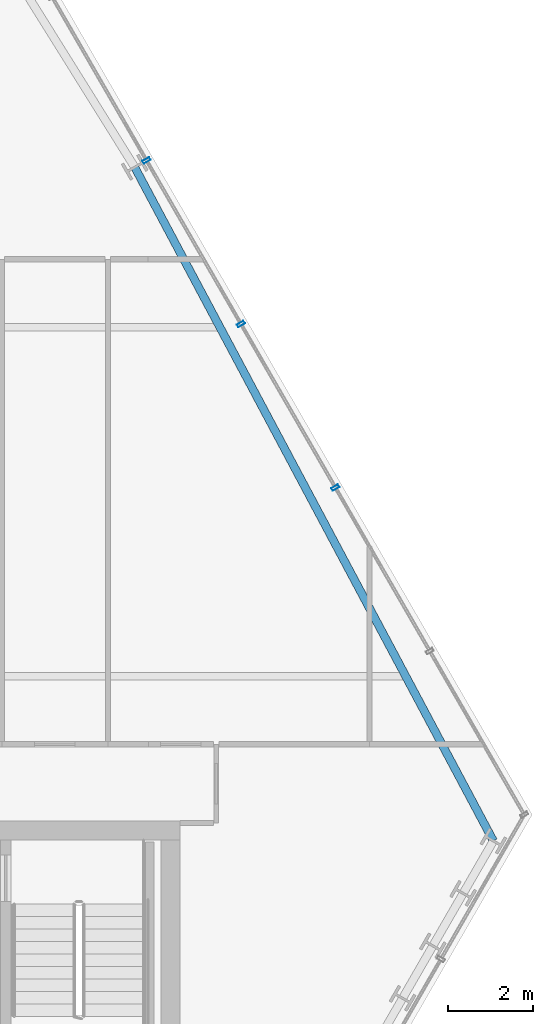
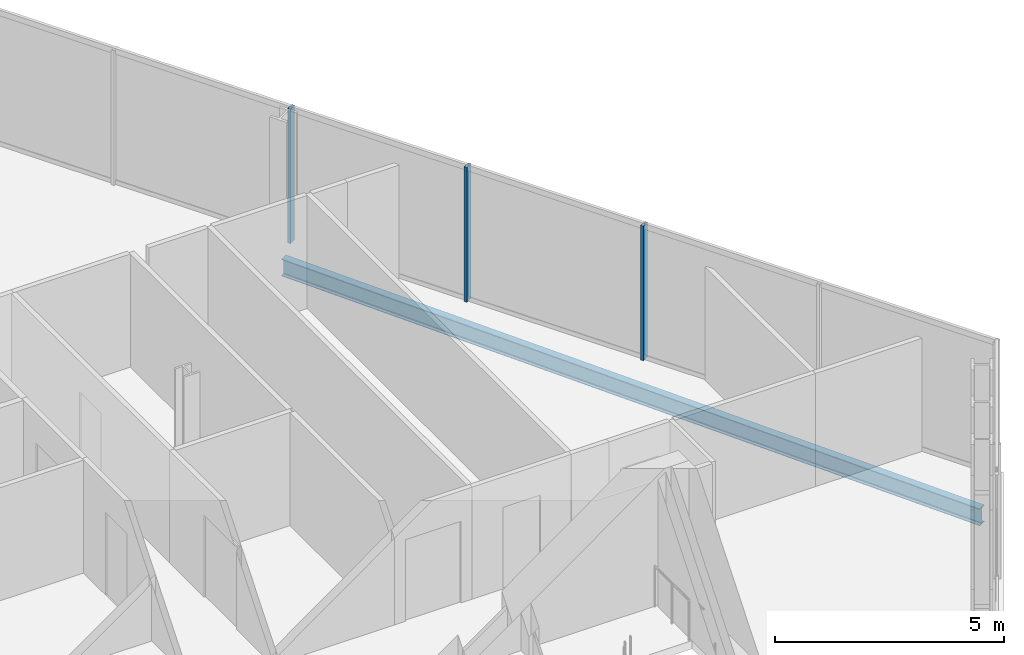
# One storey, part 17 of 31: 3 members, 1 beam, 1 element without a shape of its own.
"""IFC4 building model written with IfcOpenShell, lengths in metres."""

from ifc_helpers import new_model, si_unit, direction, frame, origin, origin_2d, place, context, subcontext, project, spatial, hollow_rectangle, i_section, extrude, material, layer, layer_set, material_profile, profile_set, type_object, element, aggregate, save


model = new_model("IFC4")

# Units and contexts
model_context = context("Model", 3, precision=1e-05, world=origin(), true_north=direction((0.0, 1.0)))
body_context = subcontext(model_context, "Body", "Model", "MODEL_VIEW")
ifc_project = project(units=[si_unit("LENGTHUNIT", "METRE"), si_unit("AREAUNIT", "SQUARE_METRE"), si_unit("VOLUMEUNIT", "CUBIC_METRE"), si_unit("PLANEANGLEUNIT", "RADIAN"), si_unit("MASSUNIT", "GRAM", prefix="KILO")], contexts=[model_context])

# Site, building, storey
site_placement = place(None, origin())
site = spatial("IfcSite", under=ifc_project, at=site_placement, CompositionType="ELEMENT")
building_placement = place(site_placement, origin())
building = spatial("IfcBuilding", under=site, at=building_placement, Name="Ndaravel Arena Tower", CompositionType="ELEMENT")
storey_placement = place(building_placement, frame((0.0, 0.0, 142.199951171875)))
storey = spatial("IfcBuildingStorey", under=building, at=storey_placement, Name="L33", CompositionType="ELEMENT", Elevation=142.199951171875)

# Beam
ifc_material_1 = material(Name="Steel S355", Category="steel")
ifc_material_profile_1 = material_profile(ifc_material_1, i_section(OverallWidth=0.18994140625, OverallDepth=0.449951171875, WebThickness=0.009521484375, FlangeThickness=0.0146484375, FilletRadius=0.02099609375, at=origin_2d()), Name="IPE 450")
ifc_profile_set_1 = profile_set([ifc_material_profile_1], Name="Steel S355")
beam_type = type_object("IfcBeamType", Name="BM-SPAN-IPE450", PredefinedType="SPANDREL", material=ifc_profile_set_1)
beam_placement = place(storey_placement, frame((64.9140625, 14.726806640625, -0.445068359375), z_axis=(-0.469938352002, 0.882699238313, 0.0), x_axis=(-0.882699238313, -0.469938352002, 0.0)))
element("IfcBeam", 1, at=beam_placement, inside=storey, type_object=beam_type, Name="L33 Perimeter Spandrel Beam SP-09", PredefinedType="SPANDREL", context=body_context, shape_type="SweptSolid", body=[
    extrude(i_section(OverallWidth=0.18994140625, OverallDepth=0.449951171875, WebThickness=0.009521484375, FlangeThickness=0.0146484375, FilletRadius=0.02099609375, at=origin_2d()), origin(), (0.0, 0.0, 1.0), 17.94189453125),
])

# Curtain wall, members
ifc_material_2 = material(Name="Aluminium", Category="aluminium")
ifc_layer = layer(ifc_material_2, 0.179931640625)
ifc_layer_set = layer_set([ifc_layer], Name="Aluminium")
curtain_wall_type = type_object("IfcCurtainWallType", Name="CW-SYS-03", PredefinedType="NOTDEFINED", material=ifc_layer_set)
curtain_wall_placement = place(storey_placement, origin())
curtain_wall = element("IfcCurtainWall", 2, at=curtain_wall_placement, inside=storey, type_object=curtain_wall_type, Name="L33 Faceted Crystal Curtain Wall CW-L33-E03", PredefinedType="NOTDEFINED")
ifc_material_3 = material(Name="Aluminium", Category="aluminium")
ifc_material_profile_2 = material_profile(ifc_material_3, hollow_rectangle(XDim=0.074951171875, YDim=0.179931640625, WallThickness=0.00390625, at=origin_2d()), Name="CW MULLION 75x180x4")
ifc_profile_set_2 = profile_set([ifc_material_profile_2], Name="Aluminium")
member_type = type_object("IfcMemberType", Name="MEM-CW-MUL180", PredefinedType="MULLION", material=ifc_profile_set_2)
member_1_placement = place(storey_placement, frame((61.199462890625, 23.03369140625, 0.0), z_axis=(0.0, 0.0, 1.0), x_axis=(-0.5, 0.866025403784, 0.0)))
member_1 = element("IfcMember", 3, at=member_1_placement, type_object=member_type, Name="CW-L33-E03 Mullion 02", PredefinedType="MULLION", context=body_context, shape_type="SweptSolid", body=[
    extrude(hollow_rectangle(XDim=0.074951171875, YDim=0.179931640625, WallThickness=0.00390625, at=origin_2d()), origin(), (0.0, 0.0, 1.0), 3.580078125),
])
member_2_placement = place(storey_placement, frame((58.9794921875, 26.87890625, 0.0), z_axis=(0.0, 0.0, 1.0), x_axis=(-0.5, 0.866025403784, 0.0)))
member_2 = element("IfcMember", 4, at=member_2_placement, type_object=member_type, Name="CW-L33-E03 Mullion 03", PredefinedType="MULLION", context=body_context, shape_type="SweptSolid", body=[
    extrude(hollow_rectangle(XDim=0.074951171875, YDim=0.179931640625, WallThickness=0.00390625, at=origin_2d()), origin(), (0.0, 0.0, 1.0), 3.580078125),
])
member_3_placement = place(storey_placement, frame((56.759521484375, 30.72412109375, 0.0), z_axis=(0.0, 0.0, 1.0), x_axis=(-0.5, 0.866025403784, 0.0)))
member_3 = element("IfcMember", 5, at=member_3_placement, type_object=member_type, Name="CW-L33-E03 Mullion 04", PredefinedType="MULLION", context=body_context, shape_type="SweptSolid", body=[
    extrude(hollow_rectangle(XDim=0.074951171875, YDim=0.179931640625, WallThickness=0.00390625, at=origin_2d()), origin(), (0.0, 0.0, 1.0), 3.580078125),
])
aggregate(curtain_wall, [member_1, member_2, member_3])

save(model, "model.ifc")
